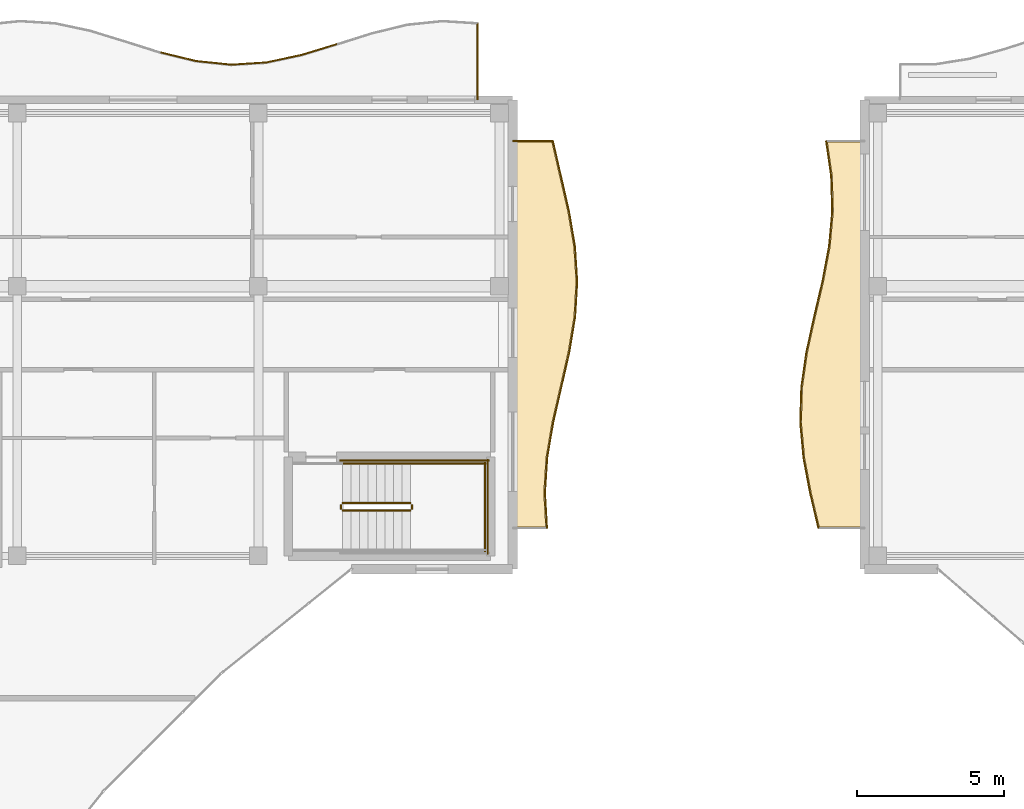
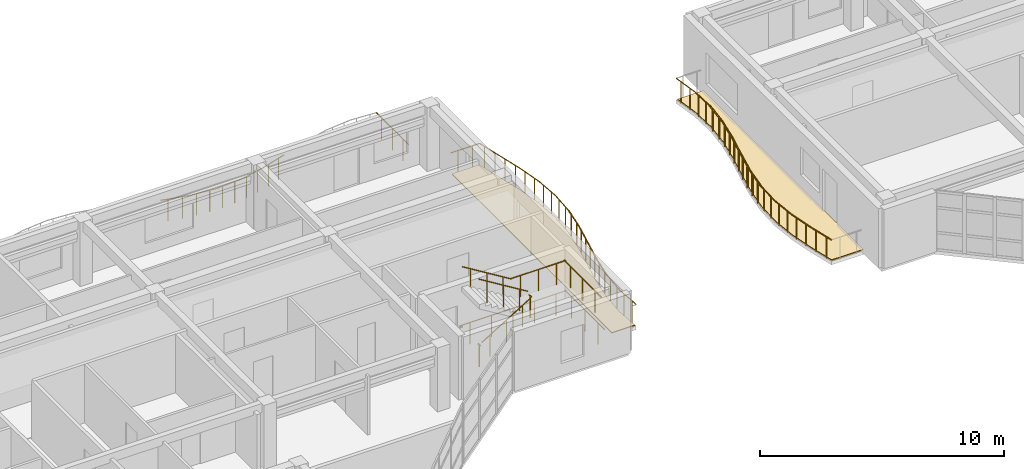
# One storey, part 62 of 72: 38 railings, 2 coverings.
"""IFC4 building model written with IfcOpenShell, lengths in metres."""

from ifc_helpers import new_model, si_unit, direction, frame, origin, origin_2d, place, context, subcontext, project, spatial, polyline, circle, outline, extrude, material, layer, layer_set, type_object, element, save


model = new_model("IFC4")

# Units and contexts
model_context = context("Model", 3, precision=1e-05, world=origin(), true_north=direction((0.0, 1.0)))
body_context = subcontext(model_context, "Body", "Model", "MODEL_VIEW")
ifc_project = project(units=[si_unit("LENGTHUNIT", "METRE"), si_unit("AREAUNIT", "SQUARE_METRE"), si_unit("VOLUMEUNIT", "CUBIC_METRE"), si_unit("PLANEANGLEUNIT", "RADIAN"), si_unit("MASSUNIT", "GRAM", prefix="KILO")], contexts=[model_context])

# Site, building, storey
site_placement = place(None, origin())
site = spatial("IfcSite", under=ifc_project, at=site_placement, CompositionType="ELEMENT")
building_placement = place(site_placement, origin())
building = spatial("IfcBuilding", under=site, at=building_placement, Name="Keldmere Railside Commons", CompositionType="ELEMENT")
storey_placement = place(building_placement, frame((0.0, 0.0, 16.9599609375)))
storey = spatial("IfcBuildingStorey", under=building, at=storey_placement, Name="L05", CompositionType="ELEMENT", Elevation=16.9599609375)

# Railings
ifc_material_1 = material(Name="Steel F-24 (S235)", Category="steel")
railing_type_1 = type_object("IfcRailingType", Name="Balcony & Terrace Steel Balustrade 1100", PredefinedType="BALUSTRADE", material=ifc_material_1)
railing_1_placement = place(storey_placement, frame((69.5, 117.6181640625, 0.0)))
element("IfcRailing", 1, at=railing_1_placement, inside=storey, type_object=railing_type_1, Name="GR-1 GRD-L05-1331", PredefinedType="BALUSTRADE", context=body_context, shape_type="SweptSolid", body=[
    extrude(circle(Radius=0.02392578125, at=origin_2d()), frame((0.0, 0.0, 1.076171875), z_axis=(0.971692139908, -0.23625068305, 0.0), x_axis=(0.23625068305, 0.971692139908, 0.0)), (0.0, 0.0, 1.0), 1.23486328125),
    extrude(circle(Radius=0.02099609375, at=origin_2d()), frame((0.300048828125, -0.072998046875, 0.0)), (0.0, 0.0, 1.0), 1.048095703125),
    extrude(circle(Radius=0.02099609375, at=origin_2d()), frame((0.89990234375, -0.21875, 0.0)), (0.0, 0.0, 1.0), 1.048095703125),
])
railing_2_placement = place(storey_placement, frame((70.699951171875, 117.326416015625, 0.0)))
element("IfcRailing", 2, at=railing_2_placement, inside=storey, type_object=railing_type_1, Name="GR-1 GRD-L05-1332", PredefinedType="BALUSTRADE", context=body_context, shape_type="SweptSolid", body=[
    extrude(circle(Radius=0.02392578125, at=origin_2d()), frame((0.0, 0.0, 1.076171875), z_axis=(0.994638808846, -0.103410057237, 0.0), x_axis=(0.103410057237, 0.994638808846, 0.0)), (0.0, 0.0, 1.0), 1.206298828125),
    extrude(circle(Radius=0.02099609375, at=origin_2d()), frame((0.300048828125, -0.03125, 0.0)), (0.0, 0.0, 1.0), 1.048095703125),
    extrude(circle(Radius=0.02099609375, at=origin_2d()), frame((0.89990234375, -0.093505859375, 0.0)), (0.0, 0.0, 1.0), 1.048095703125),
])
railing_3_placement = place(storey_placement, frame((71.89990234375, 117.20166015625, 0.0)))
element("IfcRailing", 3, at=railing_3_placement, inside=storey, type_object=railing_type_1, Name="GR-1 GRD-L05-1333", PredefinedType="BALUSTRADE", context=body_context, shape_type="SweptSolid", body=[
    extrude(circle(Radius=0.02392578125, at=origin_2d()), frame((0.0, 0.0, 1.076171875), z_axis=(0.998017666258, 0.062934393112, 0.0), x_axis=(-0.062934393112, 0.998017666258, 0.0)), (0.0, 0.0, 1.0), 1.20263671875),
    extrude(circle(Radius=0.02099609375, at=origin_2d()), frame((0.300048828125, 0.01904296875, 0.0)), (0.0, 0.0, 1.0), 1.048095703125),
    extrude(circle(Radius=0.02099609375, at=origin_2d()), frame((0.900146484375, 0.056640625, 0.0)), (0.0, 0.0, 1.0), 1.048095703125),
])
railing_4_placement = place(storey_placement, frame((73.10009765625, 117.27734375, 0.0)))
element("IfcRailing", 4, at=railing_4_placement, inside=storey, type_object=railing_type_1, Name="GR-1 GRD-L05-1334", PredefinedType="BALUSTRADE", context=body_context, shape_type="SweptSolid", body=[
    extrude(circle(Radius=0.02392578125, at=origin_2d()), frame((0.0, 0.0, 1.076171875), z_axis=(0.977973885386, 0.208727284999, 0.0), x_axis=(-0.208727284999, 0.977973885386, 0.0)), (0.0, 0.0, 1.0), 1.22705078125),
    extrude(circle(Radius=0.02099609375, at=origin_2d()), frame((0.300048828125, 0.06396484375, 0.0)), (0.0, 0.0, 1.0), 1.048095703125),
    extrude(circle(Radius=0.02099609375, at=origin_2d()), frame((0.89990234375, 0.192138671875, 0.0)), (0.0, 0.0, 1.0), 1.048095703125),
])
railing_5_placement = place(storey_placement, frame((74.300048828125, 117.533447265625, 0.0)))
element("IfcRailing", 5, at=railing_5_placement, inside=storey, type_object=railing_type_1, Name="GR-1 GRD-L05-1335", PredefinedType="BALUSTRADE", context=body_context, shape_type="SweptSolid", body=[
    extrude(circle(Radius=0.02392578125, at=origin_2d()), frame((0.0, 0.0, 1.076171875), z_axis=(0.956123250848, 0.292964723454, 0.0), x_axis=(-0.292964723454, 0.956123250848, 0.0)), (0.0, 0.0, 1.0), 1.255126953125),
    extrude(circle(Radius=0.02099609375, at=origin_2d()), frame((0.300048828125, 0.091796875, 0.0)), (0.0, 0.0, 1.0), 1.048095703125),
    extrude(circle(Radius=0.02099609375, at=origin_2d()), frame((0.89990234375, 0.27587890625, 0.0)), (0.0, 0.0, 1.0), 1.048095703125),
])
railing_6_placement = place(storey_placement, frame((80.300048828125, 118.62255859375, 0.0)))
element("IfcRailing", 6, at=railing_6_placement, inside=storey, type_object=railing_type_1, Name="GR-1 GRD-L05-1340", PredefinedType="BALUSTRADE", context=body_context, shape_type="SweptSolid", body=[
    extrude(circle(Radius=0.02392578125, at=origin_2d()), frame((0.0, 0.0, 1.076171875), z_axis=(0.0, -1.0, 0.0), x_axis=(1.0, 0.0, 0.0)), (0.0, 0.0, 1.0), 2.62255859375),
    extrude(circle(Radius=0.02099609375, at=origin_2d()), frame((0.0, -0.43701171875, 0.0)), (0.0, 0.0, 1.0), 1.048095703125),
    extrude(circle(Radius=0.02099609375, at=origin_2d()), frame((0.0, -1.311279296875, 0.0)), (0.0, 0.0, 1.0), 1.048095703125),
    extrude(circle(Radius=0.02099609375, at=origin_2d()), frame((0.0, -2.185546875, 0.0)), (0.0, 0.0, 1.0), 1.048095703125),
])
railing_7_placement = place(storey_placement, frame((82.670654296875, 101.39990234375, 0.0)))
element("IfcRailing", 7, at=railing_7_placement, inside=storey, type_object=railing_type_1, Name="GR-1 GRD-L05-1397", PredefinedType="BALUSTRADE", context=body_context, shape_type="SweptSolid", body=[
    extrude(circle(Radius=0.02392578125, at=origin_2d()), frame((0.0, 0.0, 1.076171875), z_axis=(-0.058686310163, 0.998276473227, 0.0), x_axis=(-0.998276473227, -0.058686310163, 0.0)), (0.0, 0.0, 1.0), 1.2021484375),
    extrude(circle(Radius=0.02099609375, at=origin_2d()), frame((-0.017578125, 0.300048828125, 0.0)), (0.0, 0.0, 1.0), 1.048095703125),
    extrude(circle(Radius=0.02099609375, at=origin_2d()), frame((-0.052978515625, 0.900146484375, 0.0)), (0.0, 0.0, 1.0), 1.048095703125),
])
railing_8_placement = place(storey_placement, frame((82.60009765625, 102.60009765625, 0.0)))
element("IfcRailing", 8, at=railing_8_placement, inside=storey, type_object=railing_type_1, Name="GR-1 GRD-L05-1398", PredefinedType="BALUSTRADE", context=body_context, shape_type="SweptSolid", body=[
    extrude(circle(Radius=0.02392578125, at=origin_2d()), frame((0.0, 0.0, 1.076171875), z_axis=(0.063756087584, 0.997965511075, 0.0), x_axis=(-0.997965511075, 0.063756087584, 0.0)), (0.0, 0.0, 1.0), 1.202392578125),
    extrude(circle(Radius=0.02099609375, at=origin_2d()), frame((0.01904296875, 0.300048828125, 0.0)), (0.0, 0.0, 1.0), 1.048095703125),
    extrude(circle(Radius=0.02099609375, at=origin_2d()), frame((0.0576171875, 0.89990234375, 0.0)), (0.0, 0.0, 1.0), 1.048095703125),
])
railing_9_placement = place(storey_placement, frame((82.6767578125, 103.800048828125, 0.0)))
element("IfcRailing", 9, at=railing_9_placement, inside=storey, type_object=railing_type_1, Name="GR-1 GRD-L05-1399", PredefinedType="BALUSTRADE", context=body_context, shape_type="SweptSolid", body=[
    extrude(circle(Radius=0.02392578125, at=origin_2d()), frame((0.0, 0.0, 1.076171875), z_axis=(0.167293302361, 0.985907171586, 0.0), x_axis=(-0.985907171586, 0.167293302361, 0.0)), (0.0, 0.0, 1.0), 1.217041015625),
    extrude(circle(Radius=0.02099609375, at=origin_2d()), frame((0.05078125, 0.300048828125, 0.0)), (0.0, 0.0, 1.0), 1.048095703125),
    extrude(circle(Radius=0.02099609375, at=origin_2d()), frame((0.15283203125, 0.89990234375, 0.0)), (0.0, 0.0, 1.0), 1.048095703125),
])
railing_10_placement = place(storey_placement, frame((82.88037109375, 105.0, 0.0)))
element("IfcRailing", 10, at=railing_10_placement, inside=storey, type_object=railing_type_1, Name="GR-1 GRD-L05-1400", PredefinedType="BALUSTRADE", context=body_context, shape_type="SweptSolid", body=[
    extrude(circle(Radius=0.02392578125, at=origin_2d()), frame((0.0, 0.0, 1.076171875), z_axis=(0.224062946507, 0.974574674411, 0.0), x_axis=(-0.974574674411, 0.224062946507, 0.0)), (0.0, 0.0, 1.0), 1.231201171875),
    extrude(circle(Radius=0.02099609375, at=origin_2d()), frame((0.06884765625, 0.300048828125, 0.0)), (0.0, 0.0, 1.0), 1.048095703125),
    extrude(circle(Radius=0.02099609375, at=origin_2d()), frame((0.20703125, 0.89990234375, 0.0)), (0.0, 0.0, 1.0), 1.048095703125),
])
railing_11_placement = place(storey_placement, frame((83.15625, 106.199951171875, 0.0)))
element("IfcRailing", 11, at=railing_11_placement, inside=storey, type_object=railing_type_1, Name="GR-1 GRD-L05-1401", PredefinedType="BALUSTRADE", context=body_context, shape_type="SweptSolid", body=[
    extrude(circle(Radius=0.02392578125, at=origin_2d()), frame((0.0, 0.0, 1.076171875), z_axis=(0.222744015375, 0.97487696845, 0.0), x_axis=(-0.97487696845, 0.222744015375, 0.0)), (0.0, 0.0, 1.0), 1.23095703125),
    extrude(circle(Radius=0.02099609375, at=origin_2d()), frame((0.068603515625, 0.300048828125, 0.0)), (0.0, 0.0, 1.0), 1.048095703125),
    extrude(circle(Radius=0.02099609375, at=origin_2d()), frame((0.20556640625, 0.89990234375, 0.0)), (0.0, 0.0, 1.0), 1.048095703125),
])
railing_12_placement = place(storey_placement, frame((83.430419921875, 107.39990234375, 0.0)))
element("IfcRailing", 12, at=railing_12_placement, inside=storey, type_object=railing_type_1, Name="GR-1 GRD-L05-1402", PredefinedType="BALUSTRADE", context=body_context, shape_type="SweptSolid", body=[
    extrude(circle(Radius=0.02392578125, at=origin_2d()), frame((0.0, 0.0, 1.076171875), z_axis=(0.163552823675, 0.986534578141, 0.0), x_axis=(-0.986534578141, 0.163552823675, 0.0)), (0.0, 0.0, 1.0), 1.216552734375),
    extrude(circle(Radius=0.02099609375, at=origin_2d()), frame((0.0498046875, 0.300048828125, 0.0)), (0.0, 0.0, 1.0), 1.048095703125),
    extrude(circle(Radius=0.02099609375, at=origin_2d()), frame((0.149169921875, 0.900146484375, 0.0)), (0.0, 0.0, 1.0), 1.048095703125),
])
railing_13_placement = place(storey_placement, frame((83.62939453125, 108.60009765625, 0.0)))
element("IfcRailing", 13, at=railing_13_placement, inside=storey, type_object=railing_type_1, Name="GR-1 GRD-L05-1403", PredefinedType="BALUSTRADE", context=body_context, shape_type="SweptSolid", body=[
    extrude(circle(Radius=0.02392578125, at=origin_2d()), frame((0.0, 0.0, 1.076171875), z_axis=(0.058698209274, 0.998275773636, 0.0), x_axis=(-0.998275773636, 0.058698209274, 0.0)), (0.0, 0.0, 1.0), 1.201904296875),
    extrude(circle(Radius=0.02099609375, at=origin_2d()), frame((0.017578125, 0.300048828125, 0.0)), (0.0, 0.0, 1.0), 1.048095703125),
    extrude(circle(Radius=0.02099609375, at=origin_2d()), frame((0.052978515625, 0.89990234375, 0.0)), (0.0, 0.0, 1.0), 1.048095703125),
])
railing_14_placement = place(storey_placement, frame((83.699951171875, 109.800048828125, 0.0)))
element("IfcRailing", 14, at=railing_14_placement, inside=storey, type_object=railing_type_1, Name="GR-1 GRD-L05-1404", PredefinedType="BALUSTRADE", context=body_context, shape_type="SweptSolid", body=[
    extrude(circle(Radius=0.02392578125, at=origin_2d()), frame((0.0, 0.0, 1.076171875), z_axis=(-0.063756087584, 0.997965511075, 0.0), x_axis=(-0.997965511075, -0.063756087584, 0.0)), (0.0, 0.0, 1.0), 1.202392578125),
    extrude(circle(Radius=0.02099609375, at=origin_2d()), frame((-0.01904296875, 0.300048828125, 0.0)), (0.0, 0.0, 1.0), 1.048095703125),
    extrude(circle(Radius=0.02099609375, at=origin_2d()), frame((-0.0576171875, 0.89990234375, 0.0)), (0.0, 0.0, 1.0), 1.048095703125),
])
railing_15_placement = place(storey_placement, frame((83.623291015625, 111.0, 0.0)))
element("IfcRailing", 15, at=railing_15_placement, inside=storey, type_object=railing_type_1, Name="GR-1 GRD-L05-1405", PredefinedType="BALUSTRADE", context=body_context, shape_type="SweptSolid", body=[
    extrude(circle(Radius=0.02392578125, at=origin_2d()), frame((0.0, 0.0, 1.076171875), z_axis=(-0.167293302361, 0.985907171586, 0.0), x_axis=(-0.985907171586, -0.167293302361, 0.0)), (0.0, 0.0, 1.0), 1.217041015625),
    extrude(circle(Radius=0.02099609375, at=origin_2d()), frame((-0.05078125, 0.300048828125, 0.0)), (0.0, 0.0, 1.0), 1.048095703125),
    extrude(circle(Radius=0.02099609375, at=origin_2d()), frame((-0.15283203125, 0.89990234375, 0.0)), (0.0, 0.0, 1.0), 1.048095703125),
])
railing_16_placement = place(storey_placement, frame((83.419677734375, 112.199951171875, 0.0)))
element("IfcRailing", 16, at=railing_16_placement, inside=storey, type_object=railing_type_1, Name="GR-1 GRD-L05-1406", PredefinedType="BALUSTRADE", context=body_context, shape_type="SweptSolid", body=[
    extrude(circle(Radius=0.02392578125, at=origin_2d()), frame((0.0, 0.0, 1.076171875), z_axis=(-0.224062946507, 0.974574674411, 0.0), x_axis=(-0.974574674411, -0.224062946507, 0.0)), (0.0, 0.0, 1.0), 1.231201171875),
    extrude(circle(Radius=0.02099609375, at=origin_2d()), frame((-0.06884765625, 0.300048828125, 0.0)), (0.0, 0.0, 1.0), 1.048095703125),
    extrude(circle(Radius=0.02099609375, at=origin_2d()), frame((-0.20703125, 0.89990234375, 0.0)), (0.0, 0.0, 1.0), 1.048095703125),
])
railing_17_placement = place(storey_placement, frame((83.143798828125, 113.39990234375, 0.0)))
element("IfcRailing", 17, at=railing_17_placement, inside=storey, type_object=railing_type_1, Name="GR-1 GRD-L05-1407", PredefinedType="BALUSTRADE", context=body_context, shape_type="SweptSolid", body=[
    extrude(circle(Radius=0.02392578125, at=origin_2d()), frame((0.0, 0.0, 1.076171875), z_axis=(-0.222700952764, 0.974886806577, 0.0), x_axis=(-0.974886806577, -0.222700952764, 0.0)), (0.0, 0.0, 1.0), 1.231201171875),
    extrude(circle(Radius=0.02099609375, at=origin_2d()), frame((-0.068603515625, 0.300048828125, 0.0)), (0.0, 0.0, 1.0), 1.048095703125),
    extrude(circle(Radius=0.02099609375, at=origin_2d()), frame((-0.20556640625, 0.900146484375, 0.0)), (0.0, 0.0, 1.0), 1.048095703125),
])
railing_18_placement = place(storey_placement, frame((82.86962890625, 114.60009765625, 0.0)))
element("IfcRailing", 18, at=railing_18_placement, inside=storey, type_object=railing_type_1, Name="GR-1 GRD-L05-1408", PredefinedType="BALUSTRADE", context=body_context, shape_type="SweptSolid", body=[
    extrude(circle(Radius=0.02392578125, at=origin_2d()), frame((0.0, 0.0, 1.076171875), z_axis=(-1.0, 0.0, 0.0), x_axis=(0.0, -1.0, 0.0)), (0.0, 0.0, 1.0), 1.36962890625),
    extrude(circle(Radius=0.02099609375, at=origin_2d()), frame((-0.34228515625, 0.0, 0.0)), (0.0, 0.0, 1.0), 1.048095703125),
    extrude(circle(Radius=0.02099609375, at=origin_2d()), frame((-1.02734375, 0.0, 0.0)), (0.0, 0.0, 1.0), 1.048095703125),
])
railing_19_placement = place(storey_placement, frame((91.923095703125, 101.39990234375, 0.0)))
element("IfcRailing", 19, at=railing_19_placement, inside=storey, type_object=railing_type_1, Name="GR-1 GRD-L05-2474", PredefinedType="BALUSTRADE", context=body_context, shape_type="SweptSolid", body=[
    extrude(circle(Radius=0.02392578125, at=origin_2d()), frame((0.0, 0.0, 1.076171875), z_axis=(-0.229094515737, 0.97340418268, 0.0), x_axis=(-0.97340418268, -0.229094515737, 0.0)), (0.0, 0.0, 1.0), 1.23291015625),
    extrude(circle(Radius=0.02099609375, at=origin_2d()), frame((-0.070556640625, 0.300048828125, 0.0)), (0.0, 0.0, 1.0), 1.048095703125),
    extrude(circle(Radius=0.02099609375, at=origin_2d()), frame((-0.2119140625, 0.900146484375, 0.0)), (0.0, 0.0, 1.0), 1.048095703125),
])
railing_20_placement = place(storey_placement, frame((91.640625, 102.60009765625, 0.0)))
element("IfcRailing", 20, at=railing_20_placement, inside=storey, type_object=railing_type_1, Name="GR-1 GRD-L05-2475", PredefinedType="BALUSTRADE", context=body_context, shape_type="SweptSolid", body=[
    extrude(circle(Radius=0.02392578125, at=origin_2d()), frame((0.0, 0.0, 1.076171875), z_axis=(-0.185338648235, 0.982674709897, 0.0), x_axis=(-0.982674709897, -0.185338648235, 0.0)), (0.0, 0.0, 1.0), 1.22119140625),
    extrude(circle(Radius=0.02099609375, at=origin_2d()), frame((-0.056640625, 0.300048828125, 0.0)), (0.0, 0.0, 1.0), 1.048095703125),
    extrude(circle(Radius=0.02099609375, at=origin_2d()), frame((-0.169677734375, 0.89990234375, 0.0)), (0.0, 0.0, 1.0), 1.048095703125),
])
railing_21_placement = place(storey_placement, frame((91.414306640625, 103.800048828125, 0.0)))
element("IfcRailing", 21, at=railing_21_placement, inside=storey, type_object=railing_type_1, Name="GR-1 GRD-L05-2476", PredefinedType="BALUSTRADE", context=body_context, shape_type="SweptSolid", body=[
    extrude(circle(Radius=0.02392578125, at=origin_2d()), frame((0.0, 0.0, 1.076171875), z_axis=(-0.090773239319, 0.995871587617, 0.0), x_axis=(-0.995871587617, -0.090773239319, 0.0)), (0.0, 0.0, 1.0), 1.204833984375),
    extrude(circle(Radius=0.02099609375, at=origin_2d()), frame((-0.02734375, 0.300048828125, 0.0)), (0.0, 0.0, 1.0), 1.048095703125),
    extrude(circle(Radius=0.02099609375, at=origin_2d()), frame((-0.08203125, 0.89990234375, 0.0)), (0.0, 0.0, 1.0), 1.048095703125),
])
railing_22_placement = place(storey_placement, frame((91.304931640625, 105.0, 0.0)))
element("IfcRailing", 22, at=railing_22_placement, inside=storey, type_object=railing_type_1, Name="GR-1 GRD-L05-2477", PredefinedType="BALUSTRADE", context=body_context, shape_type="SweptSolid", body=[
    extrude(circle(Radius=0.02392578125, at=origin_2d()), frame((0.0, 0.0, 1.076171875), z_axis=(0.030301440505, 0.999540805922, 0.0), x_axis=(-0.999540805922, 0.030301440505, 0.0)), (0.0, 0.0, 1.0), 1.200439453125),
    extrude(circle(Radius=0.02099609375, at=origin_2d()), frame((0.009033203125, 0.300048828125, 0.0)), (0.0, 0.0, 1.0), 1.048095703125),
    extrude(circle(Radius=0.02099609375, at=origin_2d()), frame((0.02734375, 0.89990234375, 0.0)), (0.0, 0.0, 1.0), 1.048095703125),
])
railing_23_placement = place(storey_placement, frame((91.34130859375, 106.199951171875, 0.0)))
element("IfcRailing", 23, at=railing_23_placement, inside=storey, type_object=railing_type_1, Name="GR-1 GRD-L05-2478", PredefinedType="BALUSTRADE", context=body_context, shape_type="SweptSolid", body=[
    extrude(circle(Radius=0.02392578125, at=origin_2d()), frame((0.0, 0.0, 1.076171875), z_axis=(0.142577182181, 0.989783687035, 0.0), x_axis=(-0.989783687035, 0.142577182181, 0.0)), (0.0, 0.0, 1.0), 1.21240234375),
    extrude(circle(Radius=0.02099609375, at=origin_2d()), frame((0.043212890625, 0.300048828125, 0.0)), (0.0, 0.0, 1.0), 1.048095703125),
    extrude(circle(Radius=0.02099609375, at=origin_2d()), frame((0.129638671875, 0.89990234375, 0.0)), (0.0, 0.0, 1.0), 1.048095703125),
])
railing_24_placement = place(storey_placement, frame((91.51416015625, 107.39990234375, 0.0)))
element("IfcRailing", 24, at=railing_24_placement, inside=storey, type_object=railing_type_1, Name="GR-1 GRD-L05-2479", PredefinedType="BALUSTRADE", context=body_context, shape_type="SweptSolid", body=[
    extrude(circle(Radius=0.02392578125, at=origin_2d()), frame((0.0, 0.0, 1.076171875), z_axis=(0.214005017948, 0.976832561032, 0.0), x_axis=(-0.976832561032, 0.214005017948, 0.0)), (0.0, 0.0, 1.0), 1.228759765625),
    extrude(circle(Radius=0.02099609375, at=origin_2d()), frame((0.065673828125, 0.300048828125, 0.0)), (0.0, 0.0, 1.0), 1.048095703125),
    extrude(circle(Radius=0.02099609375, at=origin_2d()), frame((0.197265625, 0.900146484375, 0.0)), (0.0, 0.0, 1.0), 1.048095703125),
])
railing_25_placement = place(storey_placement, frame((91.777099609375, 108.60009765625, 0.0)))
element("IfcRailing", 25, at=railing_25_placement, inside=storey, type_object=railing_type_1, Name="GR-1 GRD-L05-2480", PredefinedType="BALUSTRADE", context=body_context, shape_type="SweptSolid", body=[
    extrude(circle(Radius=0.02392578125, at=origin_2d()), frame((0.0, 0.0, 1.076171875), z_axis=(0.22895101995, 0.973437943818, 0.0), x_axis=(-0.973437943818, 0.22895101995, 0.0)), (0.0, 0.0, 1.0), 1.232666015625),
    extrude(circle(Radius=0.02099609375, at=origin_2d()), frame((0.070556640625, 0.300048828125, 0.0)), (0.0, 0.0, 1.0), 1.048095703125),
    extrude(circle(Radius=0.02099609375, at=origin_2d()), frame((0.211669921875, 0.89990234375, 0.0)), (0.0, 0.0, 1.0), 1.048095703125),
])
railing_26_placement = place(storey_placement, frame((92.059326171875, 109.800048828125, 0.0)))
element("IfcRailing", 26, at=railing_26_placement, inside=storey, type_object=railing_type_1, Name="GR-1 GRD-L05-2481", PredefinedType="BALUSTRADE", context=body_context, shape_type="SweptSolid", body=[
    extrude(circle(Radius=0.02392578125, at=origin_2d()), frame((0.0, 0.0, 1.076171875), z_axis=(0.185338648235, 0.982674709897, 0.0), x_axis=(-0.982674709897, 0.185338648235, 0.0)), (0.0, 0.0, 1.0), 1.22119140625),
    extrude(circle(Radius=0.02099609375, at=origin_2d()), frame((0.056640625, 0.300048828125, 0.0)), (0.0, 0.0, 1.0), 1.048095703125),
    extrude(circle(Radius=0.02099609375, at=origin_2d()), frame((0.169677734375, 0.89990234375, 0.0)), (0.0, 0.0, 1.0), 1.048095703125),
])
railing_27_placement = place(storey_placement, frame((92.28564453125, 111.0, 0.0)))
element("IfcRailing", 27, at=railing_27_placement, inside=storey, type_object=railing_type_1, Name="GR-1 GRD-L05-2482", PredefinedType="BALUSTRADE", context=body_context, shape_type="SweptSolid", body=[
    extrude(circle(Radius=0.02392578125, at=origin_2d()), frame((0.0, 0.0, 1.076171875), z_axis=(0.090773239319, 0.995871587617, 0.0), x_axis=(-0.995871587617, 0.090773239319, 0.0)), (0.0, 0.0, 1.0), 1.204833984375),
    extrude(circle(Radius=0.02099609375, at=origin_2d()), frame((0.02734375, 0.300048828125, 0.0)), (0.0, 0.0, 1.0), 1.048095703125),
    extrude(circle(Radius=0.02099609375, at=origin_2d()), frame((0.08203125, 0.89990234375, 0.0)), (0.0, 0.0, 1.0), 1.048095703125),
])
railing_28_placement = place(storey_placement, frame((92.39501953125, 112.199951171875, 0.0)))
element("IfcRailing", 28, at=railing_28_placement, inside=storey, type_object=railing_type_1, Name="GR-1 GRD-L05-2483", PredefinedType="BALUSTRADE", context=body_context, shape_type="SweptSolid", body=[
    extrude(circle(Radius=0.02392578125, at=origin_2d()), frame((0.0, 0.0, 1.076171875), z_axis=(-0.030301440505, 0.999540805922, 0.0), x_axis=(-0.999540805922, -0.030301440505, 0.0)), (0.0, 0.0, 1.0), 1.200439453125),
    extrude(circle(Radius=0.02099609375, at=origin_2d()), frame((-0.009033203125, 0.300048828125, 0.0)), (0.0, 0.0, 1.0), 1.048095703125),
    extrude(circle(Radius=0.02099609375, at=origin_2d()), frame((-0.02734375, 0.89990234375, 0.0)), (0.0, 0.0, 1.0), 1.048095703125),
])
railing_29_placement = place(storey_placement, frame((92.358642578125, 113.39990234375, 0.0)))
element("IfcRailing", 29, at=railing_29_placement, inside=storey, type_object=railing_type_1, Name="GR-1 GRD-L05-2484", PredefinedType="BALUSTRADE", context=body_context, shape_type="SweptSolid", body=[
    extrude(circle(Radius=0.02392578125, at=origin_2d()), frame((0.0, 0.0, 1.076171875), z_axis=(-0.142548768897, 0.989787779519, 0.0), x_axis=(-0.989787779519, -0.142548768897, 0.0)), (0.0, 0.0, 1.0), 1.212646484375),
    extrude(circle(Radius=0.02099609375, at=origin_2d()), frame((-0.043212890625, 0.300048828125, 0.0)), (0.0, 0.0, 1.0), 1.048095703125),
    extrude(circle(Radius=0.02099609375, at=origin_2d()), frame((-0.129638671875, 0.900146484375, 0.0)), (0.0, 0.0, 1.0), 1.048095703125),
])
railing_type_2 = type_object("IfcRailingType", Name="Stair Well Steel Guardrail 1100", PredefinedType="BALUSTRADE", material=ifc_material_1)
railing_30_placement = place(storey_placement, frame((75.699951171875, 102.0, 0.177734375)))
element("IfcRailing", 30, at=railing_30_placement, inside=storey, type_object=railing_type_2, Name="L05 ST-C2 stair guard 1", PredefinedType="BALUSTRADE", context=body_context, shape_type="SweptSolid", body=[
    extrude(circle(Radius=0.02392578125, at=origin_2d()), frame((0.0, 0.0, 1.076171875), z_axis=(0.852538067394, 0.0, 0.522665135287), x_axis=(0.0, 1.0, 0.0)), (0.0, 0.0, 1.0), 2.721435546875),
    extrude(circle(Radius=0.02099609375, at=origin_2d()), frame((0.38671875, 0.0, 0.237060546875)), (0.0, 0.0, 1.0), 1.048095703125),
    extrude(circle(Radius=0.02099609375, at=origin_2d()), frame((1.16015625, 0.0, 0.711181640625)), (0.0, 0.0, 1.0), 1.048095703125),
    extrude(circle(Radius=0.02099609375, at=origin_2d()), frame((1.933349609375, 0.0, 1.185302734375)), (0.0, 0.0, 1.0), 1.048095703125),
])
railing_31_placement = place(storey_placement, frame((78.070068359375, 102.050048828125, 1.60009765625)))
element("IfcRailing", 31, at=railing_31_placement, inside=storey, type_object=railing_type_2, Name="L05 ST-C2 stair guard 2", PredefinedType="BALUSTRADE", context=body_context, shape_type="SweptSolid", body=[
    extrude(circle(Radius=0.02392578125, at=origin_2d()), frame((0.0, 0.0, 1.076171875), z_axis=(0.0, 1.0, 0.0), x_axis=(-1.0, 0.0, 0.0)), (0.0, 0.0, 1.0), 0.14990234375),
    extrude(circle(Radius=0.02099609375, at=origin_2d()), frame((0.0, 0.074951171875, 0.0)), (0.0, 0.0, 1.0), 1.048095703125),
])
railing_32_placement = place(storey_placement, frame((78.02001953125, 103.60009765625, 1.60009765625)))
element("IfcRailing", 32, at=railing_32_placement, inside=storey, type_object=railing_type_2, Name="L05 ST-C2 stair guard 4", PredefinedType="BALUSTRADE", context=body_context, shape_type="SweptSolid", body=[
    extrude(circle(Radius=0.02392578125, at=origin_2d()), frame((0.0, 0.0, 1.076171875), z_axis=(1.0, 0.0, 0.0), x_axis=(0.0, 1.0, 0.0)), (0.0, 0.0, 1.0), 2.580078125),
    extrude(circle(Radius=0.02099609375, at=origin_2d()), frame((0.429931640625, 0.0, 0.0)), (0.0, 0.0, 1.0), 1.048095703125),
    extrude(circle(Radius=0.02099609375, at=origin_2d()), frame((1.2900390625, 0.0, 0.0)), (0.0, 0.0, 1.0), 1.048095703125),
    extrude(circle(Radius=0.02099609375, at=origin_2d()), frame((2.150146484375, 0.0, 0.0)), (0.0, 0.0, 1.0), 1.048095703125),
])
railing_33_placement = place(storey_placement, frame((80.550048828125, 100.60009765625, 1.60009765625)))
element("IfcRailing", 33, at=railing_33_placement, inside=storey, type_object=railing_type_2, Name="L05 ST-C2 stair guard 5", PredefinedType="BALUSTRADE", context=body_context, shape_type="SweptSolid", body=[
    extrude(circle(Radius=0.02392578125, at=origin_2d()), frame((0.0, 0.0, 1.076171875), z_axis=(0.0, 1.0, 0.0), x_axis=(-1.0, 0.0, 0.0)), (0.0, 0.0, 1.0), 3.0498046875),
    extrude(circle(Radius=0.02099609375, at=origin_2d()), frame((0.0, 0.50830078125, 0.0)), (0.0, 0.0, 1.0), 1.048095703125),
    extrude(circle(Radius=0.02099609375, at=origin_2d()), frame((0.0, 1.52490234375, 0.0)), (0.0, 0.0, 1.0), 1.048095703125),
    extrude(circle(Radius=0.02099609375, at=origin_2d()), frame((0.0, 2.54150390625, 0.0)), (0.0, 0.0, 1.0), 1.048095703125),
])
railing_34_placement = place(storey_placement, frame((78.02001953125, 102.25, 1.77783203125)))
element("IfcRailing", 34, at=railing_34_placement, inside=storey, type_object=railing_type_2, Name="L05 ST-C2 stair guard 6", PredefinedType="BALUSTRADE", context=body_context, shape_type="SweptSolid", body=[
    extrude(circle(Radius=0.02392578125, at=origin_2d()), frame((0.0, 0.0, 1.076171875), z_axis=(-0.852578041948, 0.0, 0.522599925744), x_axis=(0.0, -1.0, 0.0)), (0.0, 0.0, 1.0), 2.72119140625),
    extrude(circle(Radius=0.02099609375, at=origin_2d()), frame((-0.38671875, 0.0, 0.237060546875)), (0.0, 0.0, 1.0), 1.048095703125),
    extrude(circle(Radius=0.02099609375, at=origin_2d()), frame((-1.16015625, 0.0, 0.7109375)), (0.0, 0.0, 1.0), 1.048095703125),
    extrude(circle(Radius=0.02099609375, at=origin_2d()), frame((-1.933349609375, 0.0, 1.18505859375)), (0.0, 0.0, 1.0), 1.048095703125),
])
railing_35_placement = place(storey_placement, frame((75.64990234375, 102.050048828125, 0.0)))
element("IfcRailing", 35, at=railing_35_placement, inside=storey, type_object=railing_type_2, Name="L05 ST-C2 stair guard 7", PredefinedType="BALUSTRADE", context=body_context, shape_type="SweptSolid", body=[
    extrude(circle(Radius=0.02392578125, at=origin_2d()), frame((0.0, 0.0, 1.076171875), z_axis=(0.0, 1.0, 0.0), x_axis=(-1.0, 0.0, 0.0)), (0.0, 0.0, 1.0), 0.14990234375),
    extrude(circle(Radius=0.02099609375, at=origin_2d()), frame((0.0, 0.074951171875, 0.0)), (0.0, 0.0, 1.0), 1.048095703125),
])
railing_36_placement = place(storey_placement, frame((75.60009765625, 103.699951171875, 0.0)))
element("IfcRailing", 36, at=railing_36_placement, inside=storey, type_object=railing_type_2, Name="L05 ST-C2 stair guard 11", PredefinedType="BALUSTRADE", context=body_context, shape_type="SweptSolid", body=[
    extrude(circle(Radius=0.02392578125, at=origin_2d()), frame((0.0, 0.0, 1.076171875), z_axis=(1.0, 0.0, 0.0), x_axis=(0.0, 1.0, 0.0)), (0.0, 0.0, 1.0), 5.099853515625),
    extrude(circle(Radius=0.02099609375, at=origin_2d()), frame((0.510009765625, 0.0, 0.0)), (0.0, 0.0, 1.0), 1.048095703125),
    extrude(circle(Radius=0.02099609375, at=origin_2d()), frame((1.530029296875, 0.0, 0.0)), (0.0, 0.0, 1.0), 1.048095703125),
    extrude(circle(Radius=0.02099609375, at=origin_2d()), frame((2.5498046875, 0.0, 0.0)), (0.0, 0.0, 1.0), 1.048095703125),
    extrude(circle(Radius=0.02099609375, at=origin_2d()), frame((3.56982421875, 0.0, 0.0)), (0.0, 0.0, 1.0), 1.048095703125),
    extrude(circle(Radius=0.02099609375, at=origin_2d()), frame((4.58984375, 0.0, 0.0)), (0.0, 0.0, 1.0), 1.048095703125),
])
railing_37_placement = place(storey_placement, frame((80.64990234375, 100.5, 0.0)))
element("IfcRailing", 37, at=railing_37_placement, inside=storey, type_object=railing_type_2, Name="L05 ST-C2 stair guard 12", PredefinedType="BALUSTRADE", context=body_context, shape_type="SweptSolid", body=[
    extrude(circle(Radius=0.02392578125, at=origin_2d()), frame((0.0, 0.0, 1.076171875), z_axis=(0.0, 1.0, 0.0), x_axis=(-1.0, 0.0, 0.0)), (0.0, 0.0, 1.0), 3.25),
    extrude(circle(Radius=0.02099609375, at=origin_2d()), frame((0.0, 0.541748046875, 0.0)), (0.0, 0.0, 1.0), 1.048095703125),
    extrude(circle(Radius=0.02099609375, at=origin_2d()), frame((0.0, 1.625, 0.0)), (0.0, 0.0, 1.0), 1.048095703125),
    extrude(circle(Radius=0.02099609375, at=origin_2d()), frame((0.0, 2.708251953125, 0.0)), (0.0, 0.0, 1.0), 1.048095703125),
])
railing_type_3 = type_object("IfcRailingType", Name="Wall-Mounted Tubular Steel Handrail 900", PredefinedType="HANDRAIL", material=ifc_material_1)
railing_38_placement = place(storey_placement, frame((78.02001953125, 103.60009765625, 1.77783203125)))
element("IfcRailing", 38, at=railing_38_placement, inside=storey, type_object=railing_type_3, Name="L05 ST-C2 stair handrail 2", PredefinedType="HANDRAIL", context=body_context, shape_type="SweptSolid", body=[
    extrude(circle(Radius=0.02392578125, at=origin_2d()), frame((0.0, 0.0, 0.8759765625), z_axis=(-0.852578041948, 0.0, 0.522599925744), x_axis=(0.0, -1.0, 0.0)), (0.0, 0.0, 1.0), 2.72119140625),
    extrude(circle(Radius=0.02099609375, at=origin_2d()), frame((-0.38671875, 0.0, 0.237060546875)), (0.0, 0.0, 1.0), 0.847900390625),
    extrude(circle(Radius=0.02099609375, at=origin_2d()), frame((-1.16015625, 0.0, 0.7109375)), (0.0, 0.0, 1.0), 0.847900390625),
    extrude(circle(Radius=0.02099609375, at=origin_2d()), frame((-1.933349609375, 0.0, 1.18505859375)), (0.0, 0.0, 1.0), 0.847900390625),
])

# Coverings
ifc_material_2 = material(Name="White Precast Concrete C35/45", Category="concrete")
ifc_layer = layer(ifc_material_2, 0.044921875, Name="White Architectural Balcony Ribbon Cladding 45")
ifc_layer_set = layer_set([ifc_layer], Name="White Precast Concrete C35/45")
covering_type = type_object("IfcCoveringType", Name="White Architectural Balcony Ribbon Cladding 45", PredefinedType="FLOORING", material=ifc_layer_set)
covering_1_placement = place(storey_placement, origin())
element("IfcCovering", 39, at=covering_1_placement, inside=storey, type_object=covering_type, Name="CLG-WB C L05 WE White Balcony Ribbon", PredefinedType="FLOORING", context=body_context, shape_type="SweptSolid", body=[
    extrude(outline(polyline([(82.56005859375, 102.59765625), (82.56005859375, 102.6025390625), (82.636962890625, 103.802490234375), (82.637451171875, 103.806640625), (82.841064453125, 105.006591796875), (82.84130859375, 105.009033203125), (83.1171875, 106.208984375), (83.39111328125, 107.40771484375), (83.589599609375, 108.6044921875), (83.659912109375, 109.7998046875), (83.58349609375, 110.995361328125), (83.38037109375, 112.192138671875), (83.104736328125, 113.39111328125), (83.104736328125, 113.39111328125), (82.837890625, 114.56005859375), (81.5400390625, 114.56005859375), (81.5400390625, 101.43994140625), (82.628173828125, 101.43994140625), (82.56005859375, 102.59765625)])), origin(), (0.0, 0.0, 1.0), 0.044921875),
])
covering_2_placement = place(storey_placement, origin())
element("IfcCovering", 40, at=covering_2_placement, inside=storey, type_object=covering_type, Name="CLG-WB B L05 WW White Balcony Ribbon", PredefinedType="FLOORING", context=body_context, shape_type="SweptSolid", body=[
    extrude(outline(polyline([(93.4599609375, 114.56005859375), (92.23193359375, 114.56005859375), (92.398193359375, 113.40576171875), (92.398681640625, 113.401123046875), (92.43505859375, 112.201171875), (92.434814453125, 112.1962890625), (92.325439453125, 110.996337890625), (92.324951171875, 110.99267578125), (92.0986328125, 109.79248046875), (92.09814453125, 109.790771484375), (91.81591796875, 108.591064453125), (91.5537109375, 107.392822265625), (91.38134765625, 106.196533203125), (91.344970703125, 105.001220703125), (91.4541015625, 103.805419921875), (91.6796875, 102.6083984375), (91.95458984375, 101.43994140625), (93.4599609375, 101.43994140625), (93.4599609375, 114.56005859375)])), origin(), (0.0, 0.0, 1.0), 0.044921875),
])

save(model, "model.ifc")
